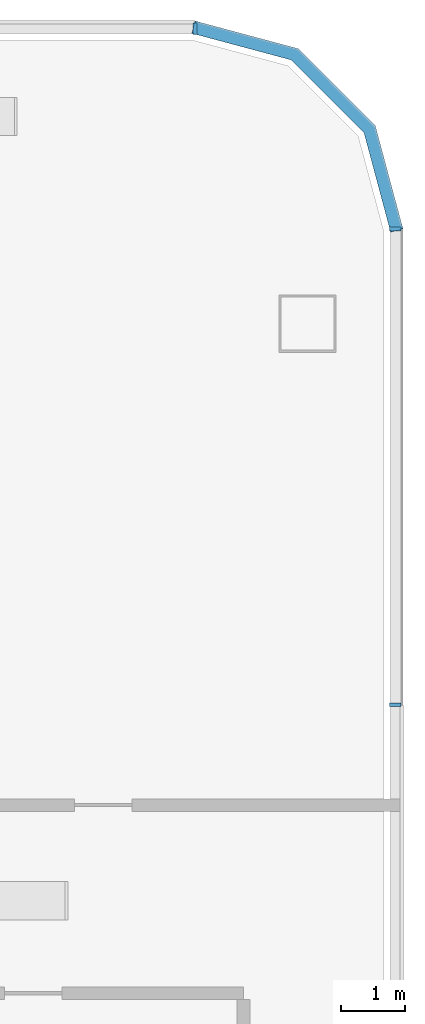
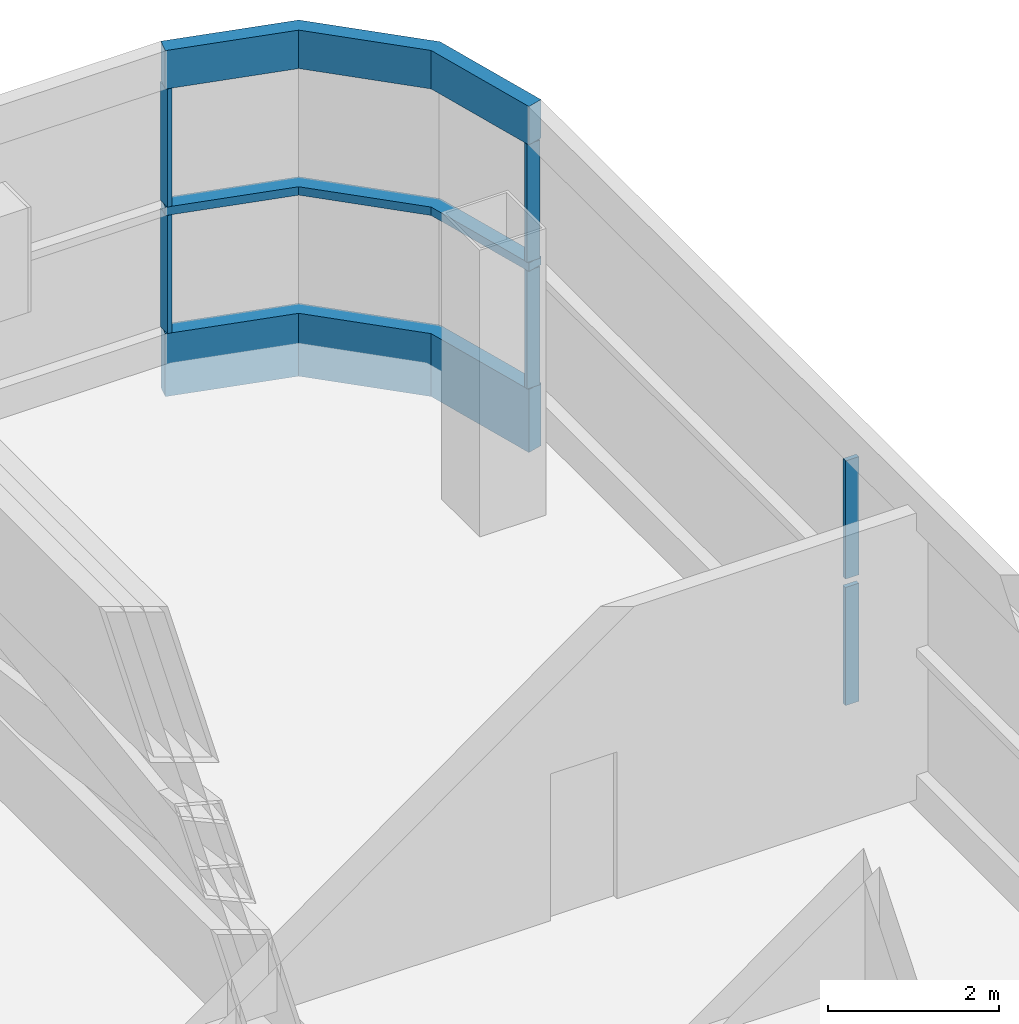
# One storey, part 14 of 30: 9 members, 3 elements without a shape of their own.
"""IFC4 building model written with IfcOpenShell, lengths in metres."""

from ifc_helpers import new_model, si_unit, direction, frame, origin, origin_2d, place, context, subcontext, project, spatial, polyline, rectangle, outline, extrude, material, layer, layer_set, material_profile, profile_set, type_object, element, aggregate, save


model = new_model("IFC4")

# Units and contexts
model_context = context("Model", 3, precision=1e-05, world=origin(), true_north=direction((0.0, 1.0)))
body_context = subcontext(model_context, "Body", "Model", "MODEL_VIEW")
ifc_project = project(units=[si_unit("LENGTHUNIT", "METRE"), si_unit("AREAUNIT", "SQUARE_METRE"), si_unit("VOLUMEUNIT", "CUBIC_METRE"), si_unit("PLANEANGLEUNIT", "RADIAN"), si_unit("MASSUNIT", "GRAM", prefix="KILO")], contexts=[model_context])

# Site, building, storey
site_placement = place(None, origin())
site = spatial("IfcSite", under=ifc_project, at=site_placement, CompositionType="ELEMENT")
building_placement = place(site_placement, origin())
building = spatial("IfcBuilding", under=site, at=building_placement, Name="Hakoniwa Tower and Hamabe Station Hall", CompositionType="ELEMENT")
storey_placement = place(building_placement, frame((0.0, 0.0, 64.60009765625)))
storey = spatial("IfcBuildingStorey", under=building, at=storey_placement, Name="L18", CompositionType="ELEMENT", Elevation=64.60009765625)

# Curtain wall, members
ifc_material_1 = material(Name="Dark low-e laminated glass", Category="glass")
ifc_layer = layer(ifc_material_1, 0.199951171875)
ifc_layer_set = layer_set([ifc_layer], Name="CW-6 PLANT LOUVRE")
curtain_wall_type = type_object("IfcCurtainWallType", Name="CW-6 PLANT LOUVRE", PredefinedType="NOTDEFINED", material=ifc_layer_set)
curtain_wall_1_placement = place(storey_placement, origin())
curtain_wall_1 = element("IfcCurtainWall", 1, at=curtain_wall_1_placement, inside=storey, type_object=curtain_wall_type, Name="CW-6 curtain wall", PredefinedType="NOTDEFINED")
ifc_material_2 = material(Name="Aluminium 6063-T5 black anodised", Category="aluminium")
ifc_material_profile_1 = material_profile(ifc_material_2, rectangle(XDim=0.199951171875, YDim=0.550048828125, at=origin_2d()), Name="CW HEAD BAND 550X200")
ifc_profile_set_1 = profile_set([ifc_material_profile_1], Name="Aluminium 6063-T5 black anodised")
member_type_1 = type_object("IfcMemberType", Name="CW HEAD BAND 550X200", PredefinedType="USERDEFINED", material=ifc_profile_set_1)
member_1_placement = place(storey_placement, frame((0.0, 0.0, 3.849853515625)))
member_1 = element("IfcMember", 2, at=member_1_placement, type_object=member_type_1, Name="CW-6 transom", ObjectType="TRANSOM", PredefinedType="USERDEFINED", context=body_context, shape_type="SweptSolid", body=[
    extrude(outline(polyline([(51.10009765625, 20.28955078125), (50.6669921875, 21.9052734375), (49.455322265625, 23.116943359375), (47.839599609375, 23.550048828125), (47.787841796875, 23.35693359375), (49.351806640625, 22.937744140625), (50.48779296875, 21.8017578125), (50.90673828125, 20.23779296875), (51.10009765625, 20.28955078125)])), origin(), (0.0, 0.0, 1.0), 0.550048828125),
])
ifc_material_3 = material(Name="Aluminium 6063-T5 black anodised", Category="aluminium")
ifc_material_profile_2 = material_profile(ifc_material_3, rectangle(XDim=0.199951171875, YDim=0.1201171875, at=origin_2d()), Name="CW MID TRANSOM 120X200")
ifc_profile_set_2 = profile_set([ifc_material_profile_2], Name="Aluminium 6063-T5 black anodised")
member_type_2 = type_object("IfcMemberType", Name="CW MID TRANSOM 120X200", PredefinedType="USERDEFINED", material=ifc_profile_set_2)
member_2_placement = place(storey_placement, frame((0.0, 0.0, 2.039794921875)))
member_2 = element("IfcMember", 3, at=member_2_placement, type_object=member_type_2, Name="CW-6 transom", ObjectType="TRANSOM", PredefinedType="USERDEFINED", context=body_context, shape_type="SweptSolid", body=[
    extrude(outline(polyline([(51.10009765625, 20.28955078125), (50.6669921875, 21.9052734375), (49.455322265625, 23.116943359375), (47.839599609375, 23.550048828125), (47.787841796875, 23.35693359375), (49.351806640625, 22.937744140625), (50.48779296875, 21.8017578125), (50.90673828125, 20.23779296875), (51.10009765625, 20.28955078125)])), origin(), (0.0, 0.0, 1.0), 0.1201171875),
])
ifc_material_4 = material(Name="Aluminium 6063-T5 black anodised", Category="aluminium")
ifc_material_profile_3 = material_profile(ifc_material_4, rectangle(XDim=0.199951171875, YDim=0.89990234375, at=origin_2d()), Name="CW SLAB-EDGE BAND 900X200")
ifc_profile_set_3 = profile_set([ifc_material_profile_3], Name="Aluminium 6063-T5 black anodised")
member_type_3 = type_object("IfcMemberType", Name="CW SLAB-EDGE BAND 900X200", PredefinedType="USERDEFINED", material=ifc_profile_set_3)
member_3_placement = place(storey_placement, frame((0.0, 0.0, -0.550048828125)))
member_3 = element("IfcMember", 4, at=member_3_placement, type_object=member_type_3, Name="CW-6 transom", ObjectType="TRANSOM", PredefinedType="USERDEFINED", context=body_context, shape_type="SweptSolid", body=[
    extrude(outline(polyline([(51.10009765625, 20.28955078125), (50.6669921875, 21.9052734375), (49.455322265625, 23.116943359375), (47.839599609375, 23.550048828125), (47.787841796875, 23.35693359375), (49.351806640625, 22.937744140625), (50.48779296875, 21.8017578125), (50.90673828125, 20.23779296875), (51.10009765625, 20.28955078125)])), origin(), (0.0, 0.0, 1.0), 0.89990234375),
])
aggregate(curtain_wall_1, [member_3, member_2, member_1])

curtain_wall_2_placement = place(storey_placement, origin())
curtain_wall_2 = element("IfcCurtainWall", 5, at=curtain_wall_2_placement, inside=storey, type_object=curtain_wall_type, Name="CW-6 curtain wall", PredefinedType="NOTDEFINED")
ifc_material_5 = material(Name="Aluminium 6063-T5 black anodised", Category="aluminium")
ifc_material_profile_4 = material_profile(ifc_material_5, rectangle(XDim=0.06005859375, YDim=0.179931640625, at=origin_2d()), Name="CW-1 MULLION 60X180")
ifc_profile_set_4 = profile_set([ifc_material_profile_4], Name="Aluminium 6063-T5 black anodised")
member_type_4 = type_object("IfcMemberType", Name="CW-1 MULLION 60X180", PredefinedType="MULLION", material=ifc_profile_set_4)
member_4_placement = place(storey_placement, frame((50.98193359375, 12.82373046875, 0.349853515625), z_axis=(0.0, 0.0, 1.0), x_axis=(0.0, 1.0, 0.0)))
member_4 = element("IfcMember", 6, at=member_4_placement, type_object=member_type_4, Name="CW-6 mullion", PredefinedType="MULLION", context=body_context, shape_type="SweptSolid", body=[
    extrude(rectangle(XDim=0.06005859375, YDim=0.179931640625, at=origin_2d()), origin(), (0.0, 0.0, 1.0), 1.68994140625),
])
member_5_placement = place(storey_placement, frame((50.98193359375, 12.82373046875, 2.159912109375), z_axis=(0.0, 0.0, 1.0), x_axis=(0.0, 1.0, 0.0)))
member_5 = element("IfcMember", 7, at=member_5_placement, type_object=member_type_4, Name="CW-6 mullion", PredefinedType="MULLION", context=body_context, shape_type="SweptSolid", body=[
    extrude(rectangle(XDim=0.06005859375, YDim=0.179931640625, at=origin_2d()), origin(), (0.0, 0.0, 1.0), 1.68994140625),
])
member_6_placement = place(storey_placement, frame((50.98193359375, 20.28955078125, 0.349853515625), z_axis=(0.0, 0.0, 1.0), x_axis=(0.0, 1.0, 0.0)))
member_6 = element("IfcMember", 8, at=member_6_placement, type_object=member_type_4, Name="CW-6 mullion", PredefinedType="MULLION", context=body_context, shape_type="SweptSolid", body=[
    extrude(rectangle(XDim=0.06005859375, YDim=0.179931640625, at=origin_2d()), origin(), (0.0, 0.0, 1.0), 1.68994140625),
])
member_7_placement = place(storey_placement, frame((50.98193359375, 20.28955078125, 2.159912109375), z_axis=(0.0, 0.0, 1.0), x_axis=(0.0, 1.0, 0.0)))
member_7 = element("IfcMember", 9, at=member_7_placement, type_object=member_type_4, Name="CW-6 mullion", PredefinedType="MULLION", context=body_context, shape_type="SweptSolid", body=[
    extrude(rectangle(XDim=0.06005859375, YDim=0.179931640625, at=origin_2d()), origin(), (0.0, 0.0, 1.0), 1.68994140625),
])
aggregate(curtain_wall_2, [member_4, member_5, member_6, member_7])

curtain_wall_3_placement = place(storey_placement, origin())
curtain_wall_3 = element("IfcCurtainWall", 10, at=curtain_wall_3_placement, inside=storey, type_object=curtain_wall_type, Name="CW-6 curtain wall", PredefinedType="NOTDEFINED")
member_8_placement = place(storey_placement, frame((47.839599609375, 23.431884765625, 0.349853515625), z_axis=(0.0, 0.0, 1.0), x_axis=(-1.0, 0.0, 0.0)))
member_8 = element("IfcMember", 11, at=member_8_placement, type_object=member_type_4, Name="CW-6 mullion", PredefinedType="MULLION", context=body_context, shape_type="SweptSolid", body=[
    extrude(rectangle(XDim=0.06005859375, YDim=0.179931640625, at=origin_2d()), origin(), (0.0, 0.0, 1.0), 1.68994140625),
])
member_9_placement = place(storey_placement, frame((47.839599609375, 23.431884765625, 2.159912109375), z_axis=(0.0, 0.0, 1.0), x_axis=(-1.0, 0.0, 0.0)))
member_9 = element("IfcMember", 12, at=member_9_placement, type_object=member_type_4, Name="CW-6 mullion", PredefinedType="MULLION", context=body_context, shape_type="SweptSolid", body=[
    extrude(rectangle(XDim=0.06005859375, YDim=0.179931640625, at=origin_2d()), origin(), (0.0, 0.0, 1.0), 1.68994140625),
])
aggregate(curtain_wall_3, [member_8, member_9])

save(model, "model.ifc")
